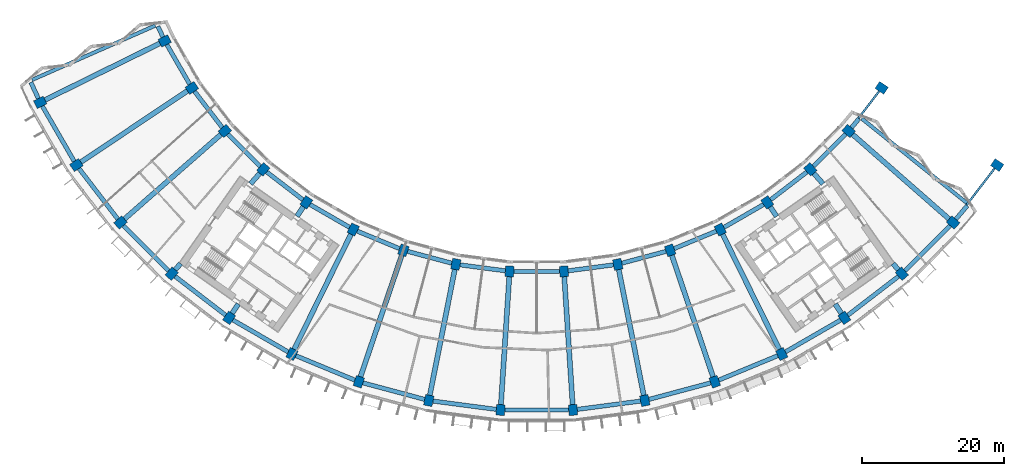
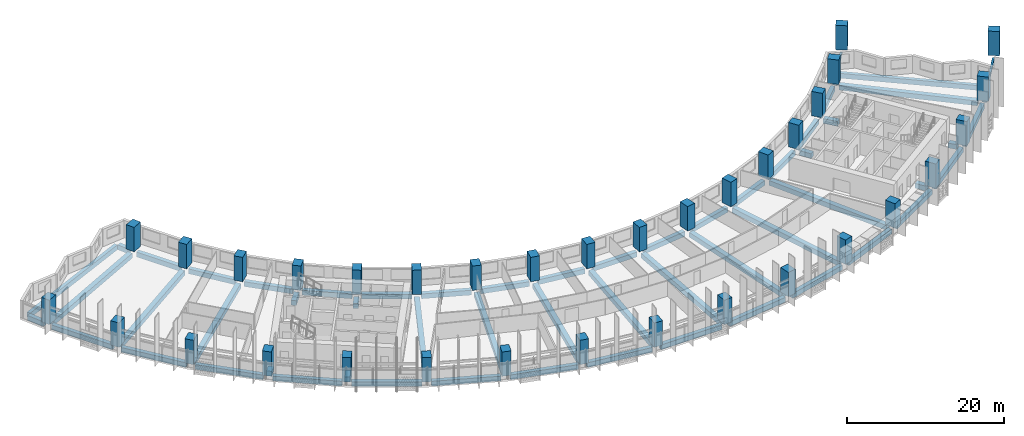
# One storey, part 1 of 29: 56 beams, 34 columns, 2 members.
"""IFC4 building model written with IfcOpenShell, lengths in metres."""

from ifc_helpers import new_model, si_unit, direction, frame, origin, origin_2d, place, context, subcontext, project, spatial, rectangle, hollow_rectangle, extrude, material, material_profile, profile_set, type_object, element, save


model = new_model("IFC4")

# Units and contexts
model_context = context("Model", 3, precision=1e-05, world=origin(), true_north=direction((0.0, 1.0)))
body_context = subcontext(model_context, "Body", "Model", "MODEL_VIEW")
ifc_project = project(units=[si_unit("LENGTHUNIT", "METRE"), si_unit("AREAUNIT", "SQUARE_METRE"), si_unit("VOLUMEUNIT", "CUBIC_METRE"), si_unit("PLANEANGLEUNIT", "RADIAN"), si_unit("MASSUNIT", "GRAM", prefix="KILO")], contexts=[model_context])

# Site, building, storey
site_placement = place(None, origin())
site = spatial("IfcSite", under=ifc_project, at=site_placement, CompositionType="ELEMENT")
building_placement = place(site_placement, origin())
building = spatial("IfcBuilding", under=site, at=building_placement, Name="Qamariyya Broadcast Tower", CompositionType="ELEMENT")
storey_placement = place(building_placement, frame((0.0, 0.0, 132.89990234375)))
storey = spatial("IfcBuildingStorey", under=building, at=storey_placement, Name="L30", CompositionType="ELEMENT", Elevation=132.89990234375)

# Columns
ifc_material_1 = material(Name="Concrete C70/85", Category="concrete")
ifc_material_profile_1 = material_profile(ifc_material_1, rectangle(XDim=1.199951171875, YDim=1.5, at=origin_2d()))
ifc_profile_set_1 = profile_set([ifc_material_profile_1], Name="Concrete C70/85")
column_type = type_object("IfcColumnType", Name="RC column 1200 x 1500 C70/85", PredefinedType="COLUMN", material=ifc_profile_set_1)
for number, where, z_axis, x_axis, name in (
    (1, (-52.242919921875, -25.763427734375, 0.0), (0.0, 0.0, 1.0), (0.442288690219, -0.896872741533, 0.0), "Column C7 L30 B-R02"),
    (2, (-69.73193359375, -34.387939453125, 0.0), (0.0, 0.0, 1.0), (0.442288690219, -0.896872741533, 0.0), "Column C7 L30 C-R02"),
    (3, (-48.43310546875, -32.362060546875, 0.0), (0.0, 0.0, 1.0), (0.55557023302, -0.831469612303, 0.0), "Column C7 L30 B-R03"),
    (4, (-64.646728515625, -43.195556640625, 0.0), (0.0, 0.0, 1.0), (0.55557023302, -0.831469612303, 0.0), "Column C7 L30 C-R03"),
    (5, (-43.794677734375, -38.406982421875, 0.0), (0.0, 0.0, 1.0), (0.6593458151, -0.751839807479, 0.0), "Column C7 L30 B-R04"),
    (6, (-58.45556640625, -51.26416015625, 0.0), (0.0, 0.0, 1.0), (0.6593458151, -0.751839807479, 0.0), "Column C7 L30 C-R04"),
    (7, (-38.406982421875, -43.794677734375, 0.0), (0.0, 0.0, 1.0), (0.751839807479, -0.6593458151, 0.0), "Column C7 L30 B-R05"),
    (8, (-51.26416015625, -58.45556640625, 0.0), (0.0, 0.0, 1.0), (0.751839807479, -0.6593458151, 0.0), "Column C7 L30 C-R05"),
    (9, (-32.362060546875, -48.43310546875, 0.0), (0.0, 0.0, 1.0), (0.831469612303, -0.55557023302, 0.0), "Column C7 L30 B-R06"),
    (10, (-43.195556640625, -64.646728515625, 0.0), (0.0, 0.0, 1.0), (0.831469612303, -0.55557023302, 0.0), "Column C7 L30 C-R06"),
    (11, (-25.763427734375, -52.242919921875, 0.0), (0.0, 0.0, 1.0), (0.896872741533, -0.442288690219, 0.0), "Column C7 L30 B-R07"),
    (12, (-34.387939453125, -69.73193359375, 0.0), (0.0, 0.0, 1.0), (0.896872741533, -0.442288690219, 0.0), "Column C7 L30 C-R07"),
    (13, (-18.723876953125, -55.15869140625, 0.0), (0.0, 0.0, 1.0), (0.946930129495, -0.321439465303, 0.0), "Column C7 L30 B-R08"),
    (14, (-24.991943359375, -73.623779296875, 0.0), (0.0, 0.0, 1.0), (0.946930129495, -0.321439465303, 0.0), "Column C7 L30 C-R08"),
    (15, (-11.364013671875, -57.130859375, 0.0), (0.0, 0.0, 1.0), (0.980785280403, -0.195090322016, 0.0), "Column C7 L30 B-R09"),
    (16, (-15.168212890625, -76.256103515625, 0.0), (0.0, 0.0, 1.0), (0.980785280403, -0.195090322016, 0.0), "Column C7 L30 C-R09"),
    (17, (-3.809814453125, -58.125244140625, 0.0), (0.0, 0.0, 1.0), (0.997858923239, -0.06540312923, 0.0), "Column C7 L30 B-R10"),
    (18, (-5.085205078125, -77.58349609375, 0.0), (0.0, 0.0, 1.0), (0.997858923239, -0.06540312923, 0.0), "Column C7 L30 C-R10"),
    (19, (3.809814453125, -58.125244140625, 0.0), (0.0, 0.0, 1.0), (0.997858923239, 0.06540312923, 0.0), "Column C7 L30 B-R11"),
    (20, (5.085205078125, -77.58349609375, 0.0), (0.0, 0.0, 1.0), (0.997858923239, 0.06540312923, 0.0), "Column C7 L30 C-R11"),
    (21, (11.364013671875, -57.130859375, 0.0), (0.0, 0.0, 1.0), (0.980785280403, 0.195090322016, 0.0), "Column C7 L30 B-R12"),
    (22, (15.168212890625, -76.256103515625, 0.0), (0.0, 0.0, 1.0), (0.980785280403, 0.195090322016, 0.0), "Column C7 L30 C-R12"),
    (23, (18.723876953125, -55.15869140625, 0.0), (0.0, 0.0, 1.0), (0.946930129495, 0.321439465303, 0.0), "Column C7 L30 B-R13"),
    (24, (24.991943359375, -73.623779296875, 0.0), (0.0, 0.0, 1.0), (0.946930129495, 0.321439465303, 0.0), "Column C7 L30 C-R13"),
    (25, (25.763427734375, -52.242919921875, 0.0), (0.0, 0.0, 1.0), (0.896872741533, 0.442288690219, 0.0), "Column C7 L30 B-R14"),
    (26, (34.387939453125, -69.73193359375, 0.0), (0.0, 0.0, 1.0), (0.896872741533, 0.442288690219, 0.0), "Column C7 L30 C-R14"),
    (27, (32.362060546875, -48.43310546875, 0.0), (0.0, 0.0, 1.0), (0.831469612303, 0.55557023302, 0.0), "Column C7 L30 B-R15"),
    (28, (43.195556640625, -64.646728515625, 0.0), (0.0, 0.0, 1.0), (0.831469612303, 0.55557023302, 0.0), "Column C7 L30 C-R15"),
    (29, (38.406982421875, -43.794677734375, 0.0), (0.0, 0.0, 1.0), (0.751839807479, 0.6593458151, 0.0), "Column C7 L30 B-R16"),
    (30, (51.26416015625, -58.45556640625, 0.0), (0.0, 0.0, 1.0), (0.751839807479, 0.6593458151, 0.0), "Column C7 L30 C-R16"),
    (31, (43.794677734375, -38.406982421875, 0.0), (0.0, 0.0, 1.0), (0.6593458151, 0.751839807479, 0.0), "Column C7 L30 B-R17"),
    (32, (58.45556640625, -51.26416015625, 0.0), (0.0, 0.0, 1.0), (0.6593458151, 0.751839807479, 0.0), "Column C7 L30 C-R17"),
    (33, (48.43310546875, -32.362060546875, 0.0), (0.0, 0.0, 1.0), (0.55557023302, 0.831469612303, 0.0), "Column C7 L30 B-R18"),
    (34, (64.646728515625, -43.195556640625, 0.0), (0.0, 0.0, 1.0), (0.55557023302, 0.831469612303, 0.0), "Column C7 L30 C-R18"),
):
    element("IfcColumn", number, at=place(storey_placement, frame(where, z_axis=z_axis, x_axis=x_axis)), inside=storey, type_object=column_type, Name=name, PredefinedType="COLUMN", context=body_context, shape_type="SweptSolid", body=[
        extrude(rectangle(XDim=1.199951171875, YDim=1.5, at=origin_2d()), origin(), (0.0, 0.0, 1.0), 3.800048828125),
    ])

# Members
ifc_material_2 = material(Name="Steel S355", Category="steel")
ifc_material_profile_2 = material_profile(ifc_material_2, hollow_rectangle(XDim=0.300048828125, YDim=0.300048828125, WallThickness=0.012451171875, InnerFilletRadius=0.012451171875, OuterFilletRadius=0.02490234375, at=origin_2d()))
ifc_profile_set_2 = profile_set([ifc_material_profile_2], Name="Steel S355")
member_type = type_object("IfcMemberType", Name="Pylon tie RHS 300x300x12.5", PredefinedType="STRUT", material=ifc_profile_set_2)
member_1_placement = place(storey_placement, frame((44.16064453125, -37.929931640625, -0.449951171875), z_axis=(0.608778135192, 0.793340520906, 0.0), x_axis=(-0.793340520906, 0.608778135192, 0.0)))
element("IfcMember", 35, at=member_1_placement, inside=storey, type_object=member_type, Name="Pylon tie T1 L30 B-R18", PredefinedType="STRUT", context=body_context, shape_type="SweptSolid", body=[
    extrude(hollow_rectangle(XDim=0.300048828125, YDim=0.300048828125, WallThickness=0.012451171875, InnerFilletRadius=0.012451171875, OuterFilletRadius=0.02490234375, at=origin_2d()), origin(), (0.0, 0.0, 1.0), 6.4169921875),
])
member_2_placement = place(storey_placement, frame((58.821533203125, -50.787109375, -0.449951171875), z_axis=(0.608766985019, 0.793349076984, 0.0), x_axis=(-0.793349076984, 0.608766985019, 0.0)))
element("IfcMember", 36, at=member_2_placement, inside=storey, type_object=member_type, Name="Pylon tie T1 L30 C-R18", PredefinedType="STRUT", context=body_context, shape_type="SweptSolid", body=[
    extrude(hollow_rectangle(XDim=0.300048828125, YDim=0.300048828125, WallThickness=0.012451171875, InnerFilletRadius=0.012451171875, OuterFilletRadius=0.02490234375, at=origin_2d()), origin(), (0.0, 0.0, 1.0), 8.9677734375),
])

# Beams
ifc_material_3 = material(Name="Concrete C50/60", Category="concrete")
ifc_material_profile_3 = material_profile(ifc_material_3, rectangle(XDim=0.60009765625, YDim=0.75, at=origin_2d()))
ifc_profile_set_3 = profile_set([ifc_material_profile_3], Name="Concrete C50/60")
beam_type_1 = type_object("IfcBeamType", Name="RC edge beam 600 x 750 C50/60", PredefinedType="SPANDREL", material=ifc_profile_set_3)
for number, where, z_axis, x_axis, name in (
    (37, (-51.942138671875, -26.283935546875, -0.6748046875), (0.49999360328, -0.866029096901, 0.0), (0.866029096901, 0.49999360328, 0.0), "Edge beam B15 L30 B R02-R03"),
    (38, (-48.067138671875, -32.839111328125, -0.6748046875), (0.608778135192, -0.793340520906, 0.0), (0.793340520906, 0.608778135192, 0.0), "Edge beam B15 L30 B R03-R04"),
):
    element("IfcBeam", number, at=place(storey_placement, frame(where, z_axis=z_axis, x_axis=x_axis)), inside=storey, type_object=beam_type_1, Name=name, PredefinedType="SPANDREL", context=body_context, shape_type="SweptSolid", body=[
        extrude(rectangle(XDim=0.60009765625, YDim=0.75, at=origin_2d()), origin(), (0.0, 0.0, 1.0), 6.4169921875),
    ])
beam_1_placement = place(storey_placement, frame((-43.369384765625, -38.83203125, -0.6748046875), z_axis=(0.707106781187, -0.707106781187, 0.0), x_axis=(0.707106781187, 0.707106781187, 0.0)))
element("IfcBeam", 39, at=beam_1_placement, inside=storey, type_object=beam_type_1, Name="Edge beam B15 L30 B R04-R05", PredefinedType="SPANDREL", context=body_context, shape_type="SweptSolid", body=[
    extrude(rectangle(XDim=0.60009765625, YDim=0.75, at=origin_2d()), origin(), (0.0, 0.0, 1.0), 6.416748046875),
])
for number, where, z_axis, x_axis, name in (
    (40, (-37.929931640625, -44.16064453125, -0.6748046875), (0.793340520906, -0.608778135192, 0.0), (0.608778135192, 0.793340520906, 0.0), "Edge beam B15 L30 B R05-R06"),
    (41, (-31.84130859375, -48.733642578125, -0.6748046875), (0.866029096901, -0.49999360328, 0.0), (0.49999360328, 0.866029096901, 0.0), "Edge beam B15 L30 B R06-R07"),
    (42, (-25.207763671875, -52.472900390625, -0.6748046875), (0.923884212686, -0.382672133229, 0.0), (0.382672133229, 0.923884212686, 0.0), "Edge beam B15 L30 B R07-R08"),
    (43, (-18.14306640625, -55.314208984375, -0.6748046875), (0.965922916603, -0.258829903956, 0.0), (0.258829903956, 0.965922916603, 0.0), "Edge beam B15 L30 B R08-R09"),
    (44, (-10.767822265625, -57.209228515625, -0.6748046875), (0.991443543958, -0.1305361986, 0.0), (0.1305361986, 0.991443543958, 0.0), "Edge beam B15 L30 B R09-R10"),
    (45, (-3.20849609375, -58.125244140625, -0.6748046875), (1.0, 0.0, 0.0), (0.0, 1.0, 0.0), "Edge beam B15 L30 B R10-R11"),
    (46, (4.40576171875, -58.046875, -0.6748046875), (0.991443543958, 0.1305361986, 0.0), (-0.1305361986, 0.991443543958, 0.0), "Edge beam B15 L30 B R11-R12"),
    (47, (11.94482421875, -56.97509765625, -0.6748046875), (0.965922916603, 0.258829903956, 0.0), (-0.258829903956, 0.965922916603, 0.0), "Edge beam B15 L30 B R12-R13"),
    (48, (19.279296875, -54.928466796875, -0.6748046875), (0.923884212686, 0.382672133229, 0.0), (-0.382672133229, 0.923884212686, 0.0), "Edge beam B15 L30 B R13-R14"),
    (49, (26.283935546875, -51.942138671875, -0.6748046875), (0.866029096901, 0.49999360328, 0.0), (-0.49999360328, 0.866029096901, 0.0), "Edge beam B15 L30 B R14-R15"),
    (50, (32.839111328125, -48.067138671875, -0.6748046875), (0.793340520906, 0.608778135192, 0.0), (-0.608778135192, 0.793340520906, 0.0), "Edge beam B15 L30 B R15-R16"),
):
    element("IfcBeam", number, at=place(storey_placement, frame(where, z_axis=z_axis, x_axis=x_axis)), inside=storey, type_object=beam_type_1, Name=name, PredefinedType="SPANDREL", context=body_context, shape_type="SweptSolid", body=[
        extrude(rectangle(XDim=0.60009765625, YDim=0.75, at=origin_2d()), origin(), (0.0, 0.0, 1.0), 6.4169921875),
    ])
beam_2_placement = place(storey_placement, frame((38.83203125, -43.369384765625, -0.6748046875), z_axis=(0.707106781187, 0.707106781187, 0.0), x_axis=(-0.707106781187, 0.707106781187, 0.0)))
element("IfcBeam", 51, at=beam_2_placement, inside=storey, type_object=beam_type_1, Name="Edge beam B15 L30 B R16-R17", PredefinedType="SPANDREL", context=body_context, shape_type="SweptSolid", body=[
    extrude(rectangle(XDim=0.60009765625, YDim=0.75, at=origin_2d()), origin(), (0.0, 0.0, 1.0), 6.416748046875),
])
beam_3_placement = place(storey_placement, frame((-69.43115234375, -34.90869140625, -0.6748046875), z_axis=(0.499989544228, -0.866031440343, 0.0), x_axis=(0.866031440343, 0.499989544228, 0.0)))
element("IfcBeam", 52, at=beam_3_placement, inside=storey, type_object=beam_type_1, Name="Edge beam B15 L30 C R02-R03", PredefinedType="SPANDREL", context=body_context, shape_type="SweptSolid", body=[
    extrude(rectangle(XDim=0.60009765625, YDim=0.75, at=origin_2d()), origin(), (0.0, 0.0, 1.0), 8.967529296875),
])
beam_4_placement = place(storey_placement, frame((-64.28076171875, -43.672607421875, -0.6748046875), z_axis=(0.608766985019, -0.793349076984, 0.0), x_axis=(0.793349076984, 0.608766985019, 0.0)))
element("IfcBeam", 53, at=beam_4_placement, inside=storey, type_object=beam_type_1, Name="Edge beam B15 L30 C R03-R04", PredefinedType="SPANDREL", context=body_context, shape_type="SweptSolid", body=[
    extrude(rectangle(XDim=0.60009765625, YDim=0.75, at=origin_2d()), origin(), (0.0, 0.0, 1.0), 8.9677734375),
])
beam_5_placement = place(storey_placement, frame((-58.0302734375, -51.689208984375, -0.6748046875), z_axis=(0.707106781187, -0.707106781187, 0.0), x_axis=(0.707106781187, 0.707106781187, 0.0)))
element("IfcBeam", 54, at=beam_5_placement, inside=storey, type_object=beam_type_1, Name="Edge beam B15 L30 C R04-R05", PredefinedType="SPANDREL", context=body_context, shape_type="SweptSolid", body=[
    extrude(rectangle(XDim=0.60009765625, YDim=0.75, at=origin_2d()), origin(), (0.0, 0.0, 1.0), 8.967529296875),
])
beam_6_placement = place(storey_placement, frame((-50.787109375, -58.821533203125, -0.6748046875), z_axis=(0.793349076984, -0.608766985019, 0.0), x_axis=(0.608766985019, 0.793349076984, 0.0)))
element("IfcBeam", 55, at=beam_6_placement, inside=storey, type_object=beam_type_1, Name="Edge beam B15 L30 C R05-R06", PredefinedType="SPANDREL", context=body_context, shape_type="SweptSolid", body=[
    extrude(rectangle(XDim=0.60009765625, YDim=0.75, at=origin_2d()), origin(), (0.0, 0.0, 1.0), 8.9677734375),
])
beam_7_placement = place(storey_placement, frame((-42.6748046875, -64.947509765625, -0.6748046875), z_axis=(0.866031440343, -0.499989544228, 0.0), x_axis=(0.499989544228, 0.866031440343, 0.0)))
element("IfcBeam", 56, at=beam_7_placement, inside=storey, type_object=beam_type_1, Name="Edge beam B15 L30 C R06-R07", PredefinedType="SPANDREL", context=body_context, shape_type="SweptSolid", body=[
    extrude(rectangle(XDim=0.60009765625, YDim=0.75, at=origin_2d()), origin(), (0.0, 0.0, 1.0), 8.967529296875),
])
beam_8_placement = place(storey_placement, frame((-33.83251953125, -69.9619140625, -0.6748046875), z_axis=(0.923877140182, -0.382689207907, 0.0), x_axis=(0.382689207907, 0.923877140182, 0.0)))
element("IfcBeam", 57, at=beam_8_placement, inside=storey, type_object=beam_type_1, Name="Edge beam B15 L30 C R07-R08", PredefinedType="SPANDREL", context=body_context, shape_type="SweptSolid", body=[
    extrude(rectangle(XDim=0.60009765625, YDim=0.75, at=origin_2d()), origin(), (0.0, 0.0, 1.0), 8.9677734375),
])
for number, where, z_axis, x_axis, name in (
    (58, (-24.4111328125, -73.779541015625, -0.6748046875), (0.965931525183, -0.258797775603, 0.0), (0.258797775603, 0.965931525183, 0.0), "Edge beam B15 L30 C R08-R09"),
    (59, (-14.572021484375, -76.33447265625, -0.6748046875), (0.991442708618, -0.130542542983, 0.0), (0.130542542983, 0.991442708618, 0.0), "Edge beam B15 L30 C R09-R10"),
):
    element("IfcBeam", number, at=place(storey_placement, frame(where, z_axis=z_axis, x_axis=x_axis)), inside=storey, type_object=beam_type_1, Name=name, PredefinedType="SPANDREL", context=body_context, shape_type="SweptSolid", body=[
        extrude(rectangle(XDim=0.60009765625, YDim=0.75, at=origin_2d()), origin(), (0.0, 0.0, 1.0), 8.967529296875),
    ])
beam_9_placement = place(storey_placement, frame((-4.48388671875, -77.58349609375, -0.6748046875), z_axis=(1.0, 0.0, 0.0), x_axis=(0.0, 1.0, 0.0)))
element("IfcBeam", 60, at=beam_9_placement, inside=storey, type_object=beam_type_1, Name="Edge beam B15 L30 C R10-R11", PredefinedType="SPANDREL", context=body_context, shape_type="SweptSolid", body=[
    extrude(rectangle(XDim=0.60009765625, YDim=0.75, at=origin_2d()), origin(), (0.0, 0.0, 1.0), 8.9677734375),
])
for number, where, z_axis, x_axis, name in (
    (61, (5.68115234375, -77.505126953125, -0.6748046875), (0.991442708618, 0.130542542983, 0.0), (-0.130542542983, 0.991442708618, 0.0), "Edge beam B15 L30 C R11-R12"),
    (62, (15.7490234375, -76.100341796875, -0.6748046875), (0.965931525183, 0.258797775603, 0.0), (-0.258797775603, 0.965931525183, 0.0), "Edge beam B15 L30 C R12-R13"),
):
    element("IfcBeam", number, at=place(storey_placement, frame(where, z_axis=z_axis, x_axis=x_axis)), inside=storey, type_object=beam_type_1, Name=name, PredefinedType="SPANDREL", context=body_context, shape_type="SweptSolid", body=[
        extrude(rectangle(XDim=0.60009765625, YDim=0.75, at=origin_2d()), origin(), (0.0, 0.0, 1.0), 8.967529296875),
    ])
beam_10_placement = place(storey_placement, frame((25.54736328125, -73.393798828125, -0.6748046875), z_axis=(0.923877140182, 0.382689207907, 0.0), x_axis=(-0.382689207907, 0.923877140182, 0.0)))
element("IfcBeam", 63, at=beam_10_placement, inside=storey, type_object=beam_type_1, Name="Edge beam B15 L30 C R13-R14", PredefinedType="SPANDREL", context=body_context, shape_type="SweptSolid", body=[
    extrude(rectangle(XDim=0.60009765625, YDim=0.75, at=origin_2d()), origin(), (0.0, 0.0, 1.0), 8.9677734375),
])
beam_11_placement = place(storey_placement, frame((34.90869140625, -69.43115234375, -0.6748046875), z_axis=(0.866031440343, 0.499989544228, 0.0), x_axis=(-0.499989544228, 0.866031440343, 0.0)))
element("IfcBeam", 64, at=beam_11_placement, inside=storey, type_object=beam_type_1, Name="Edge beam B15 L30 C R14-R15", PredefinedType="SPANDREL", context=body_context, shape_type="SweptSolid", body=[
    extrude(rectangle(XDim=0.60009765625, YDim=0.75, at=origin_2d()), origin(), (0.0, 0.0, 1.0), 8.967529296875),
])
beam_12_placement = place(storey_placement, frame((43.672607421875, -64.28076171875, -0.6748046875), z_axis=(0.793349076984, 0.608766985019, 0.0), x_axis=(-0.608766985019, 0.793349076984, 0.0)))
element("IfcBeam", 65, at=beam_12_placement, inside=storey, type_object=beam_type_1, Name="Edge beam B15 L30 C R15-R16", PredefinedType="SPANDREL", context=body_context, shape_type="SweptSolid", body=[
    extrude(rectangle(XDim=0.60009765625, YDim=0.75, at=origin_2d()), origin(), (0.0, 0.0, 1.0), 8.9677734375),
])
beam_13_placement = place(storey_placement, frame((51.689208984375, -58.0302734375, -0.6748046875), z_axis=(0.707106781187, 0.707106781187, 0.0), x_axis=(-0.707106781187, 0.707106781187, 0.0)))
element("IfcBeam", 66, at=beam_13_placement, inside=storey, type_object=beam_type_1, Name="Edge beam B15 L30 C R16-R17", PredefinedType="SPANDREL", context=body_context, shape_type="SweptSolid", body=[
    extrude(rectangle(XDim=0.60009765625, YDim=0.75, at=origin_2d()), origin(), (0.0, 0.0, 1.0), 8.967529296875),
])
ifc_material_profile_4 = material_profile(ifc_material_3, rectangle(XDim=0.60009765625, YDim=0.75, at=origin_2d()))
ifc_profile_set_4 = profile_set([ifc_material_profile_4], Name="Concrete C50/60")
beam_type_2 = type_object("IfcBeamType", Name="RC horn beam 600 x 750 C50/60", PredefinedType="BEAM", material=ifc_profile_set_4)
beam_14_placement = place(storey_placement, frame((-52.49658203125, -25.219482421875, -0.6748046875), z_axis=(-0.422909699643, 0.906171830255, 0.0), x_axis=(-0.906171830255, -0.422909699643, 0.0)))
element("IfcBeam", 67, at=beam_14_placement, inside=storey, type_object=beam_type_2, Name="Horn beam B14 L30 W B-R02", PredefinedType="BEAM", context=body_context, shape_type="SweptSolid", body=[
    extrude(rectangle(XDim=0.60009765625, YDim=0.75, at=origin_2d()), origin(), (0.0, 0.0, 1.0), 1.654541015625),
])
beam_15_placement = place(storey_placement, frame((-69.985595703125, -33.843994140625, -0.6748046875), z_axis=(-0.422960519871, 0.906148110758, 0.0), x_axis=(-0.906148110758, -0.422960519871, 0.0)))
element("IfcBeam", 68, at=beam_15_placement, inside=storey, type_object=beam_type_2, Name="Horn beam B14 L30 W C-R02", PredefinedType="BEAM", context=body_context, shape_type="SweptSolid", body=[
    extrude(rectangle(XDim=0.60009765625, YDim=0.75, at=origin_2d()), origin(), (0.0, 0.0, 1.0), 2.492919921875),
])
beam_16_placement = place(storey_placement, frame((44.1806640625, -37.947265625, -0.6748046875), z_axis=(0.643053654659, 0.765821126132, 0.0), x_axis=(-0.765821126132, 0.643053654659, 0.0)))
element("IfcBeam", 69, at=beam_16_placement, inside=storey, type_object=beam_type_2, Name="Horn beam B14 L30 E B-R17", PredefinedType="BEAM", context=body_context, shape_type="SweptSolid", body=[
    extrude(rectangle(XDim=0.60009765625, YDim=0.75, at=origin_2d()), origin(), (0.0, 0.0, 1.0), 1.654541015625),
])
beam_17_placement = place(storey_placement, frame((58.841552734375, -50.804443359375, -0.6748046875), z_axis=(0.643031299629, 0.765839896909, 0.0), x_axis=(-0.765839896909, 0.643031299629, 0.0)))
element("IfcBeam", 70, at=beam_17_placement, inside=storey, type_object=beam_type_2, Name="Horn beam B14 L30 E C-R17", PredefinedType="BEAM", context=body_context, shape_type="SweptSolid", body=[
    extrude(rectangle(XDim=0.60009765625, YDim=0.75, at=origin_2d()), origin(), (0.0, 0.0, 1.0), 2.492919921875),
])
ifc_material_profile_5 = material_profile(ifc_material_3, rectangle(XDim=0.5, YDim=0.75, at=origin_2d()))
ifc_profile_set_5 = profile_set([ifc_material_profile_5], Name="Concrete C50/60")
beam_type_3 = type_object("IfcBeamType", Name="RC horn cap beam 500 x 750 C50/60", PredefinedType="BEAM", material=ifc_profile_set_5)
beam_18_placement = place(storey_placement, frame((-53.57666015625, -23.614501953125, -0.6748046875), z_axis=(-0.91505637087, -0.403325970068, 0.0), x_axis=(0.403325970068, -0.91505637087, 0.0)))
element("IfcBeam", 71, at=beam_18_placement, inside=storey, type_object=beam_type_3, Name="Horn cap beam B17 L30 W B-C", PredefinedType="BEAM", context=body_context, shape_type="SweptSolid", body=[
    extrude(rectangle(XDim=0.5, YDim=0.75, at=origin_2d()), origin(), (0.0, 0.0, 1.0), 18.89990234375),
])
beam_19_placement = place(storey_placement, frame((45.63916015625, -36.676513671875, -0.6748046875), z_axis=(0.779488210445, -0.626416897742, 0.0), x_axis=(0.626416897742, 0.779488210445, 0.0)))
element("IfcBeam", 72, at=beam_19_placement, inside=storey, type_object=beam_type_3, Name="Horn cap beam B17 L30 E B-C", PredefinedType="BEAM", context=body_context, shape_type="SweptSolid", body=[
    extrude(rectangle(XDim=0.5, YDim=0.75, at=origin_2d()), origin(), (0.0, 0.0, 1.0), 18.900146484375),
])
ifc_material_profile_6 = material_profile(ifc_material_3, rectangle(XDim=0.699951171875, YDim=0.75, at=origin_2d()))
ifc_profile_set_6 = profile_set([ifc_material_profile_6], Name="Concrete C50/60")
beam_type_4 = type_object("IfcBeamType", Name="RC radial beam 700 x 750 C50/60", PredefinedType="BEAM", material=ifc_profile_set_6)
beam_20_placement = place(storey_placement, frame((-52.91552734375, -26.094970703125, -0.6748046875), z_axis=(-0.896871386501, -0.442291437941, 0.0), x_axis=(0.442291437941, -0.896871386501, 0.0)))
element("IfcBeam", 73, at=beam_20_placement, inside=storey, type_object=beam_type_4, Name="Radial beam B13 L30 R02 B-C", PredefinedType="BEAM", context=body_context, shape_type="SweptSolid", body=[
    extrude(rectangle(XDim=0.699951171875, YDim=0.75, at=origin_2d()), origin(), (0.0, 0.0, 1.0), 17.999755859375),
])
beam_21_placement = place(storey_placement, frame((-49.056640625, -32.778564453125, -0.6748046875), z_axis=(-0.831471836778, -0.555566903843, 0.0), x_axis=(0.555566903843, -0.831471836778, 0.0)))
element("IfcBeam", 74, at=beam_21_placement, inside=storey, type_object=beam_type_4, Name="Radial beam B13 L30 R03 B-C", PredefinedType="BEAM", context=body_context, shape_type="SweptSolid", body=[
    extrude(rectangle(XDim=0.699951171875, YDim=0.75, at=origin_2d()), origin(), (0.0, 0.0, 1.0), 18.0),
])
beam_22_placement = place(storey_placement, frame((-44.358642578125, -38.9013671875, -0.6748046875), z_axis=(-0.751837671483, -0.659348250729, 0.0), x_axis=(0.659348250729, -0.751837671483, 0.0)))
element("IfcBeam", 75, at=beam_22_placement, inside=storey, type_object=beam_type_4, Name="Radial beam B13 L30 R04 B-C", PredefinedType="BEAM", context=body_context, shape_type="SweptSolid", body=[
    extrude(rectangle(XDim=0.699951171875, YDim=0.75, at=origin_2d()), origin(), (0.0, 0.0, 1.0), 17.999755859375),
])
beam_23_placement = place(storey_placement, frame((-38.9013671875, -44.358642578125, -0.6748046875), z_axis=(-0.659376140982, -0.751813211312, 0.0), x_axis=(0.751813211312, -0.659376140982, 0.0)))
element("IfcBeam", 76, at=beam_23_placement, inside=storey, type_object=beam_type_4, Name="Radial beam B13 L30 R05 B-C", PredefinedType="BEAM", context=body_context, shape_type="SweptSolid", body=[
    extrude(rectangle(XDim=0.699951171875, YDim=0.75, at=origin_2d()), origin(), (0.0, 0.0, 1.0), 1.96240234375),
])
beam_24_placement = place(storey_placement, frame((-50.011962890625, -57.027587890625, -0.6748046875), z_axis=(-0.659271387296, -0.751905072395, 0.0), x_axis=(0.751905072395, -0.659271387296, 0.0)))
element("IfcBeam", 77, at=beam_24_placement, inside=storey, type_object=beam_type_4, Name="Radial beam B13 L30 R05 B-C", PredefinedType="BEAM", context=body_context, shape_type="SweptSolid", body=[
    extrude(rectangle(XDim=0.699951171875, YDim=0.75, at=origin_2d()), origin(), (0.0, 0.0, 1.0), 1.149169921875),
])
beam_25_placement = place(storey_placement, frame((-32.778564453125, -49.056640625, -0.6748046875), z_axis=(-0.555537373717, -0.831491567248, 0.0), x_axis=(0.831491567248, -0.555537373717, 0.0)))
element("IfcBeam", 78, at=beam_25_placement, inside=storey, type_object=beam_type_4, Name="Radial beam B13 L30 R06 B-C", PredefinedType="BEAM", context=body_context, shape_type="SweptSolid", body=[
    extrude(rectangle(XDim=0.699951171875, YDim=0.75, at=origin_2d()), origin(), (0.0, 0.0, 1.0), 1.614501953125),
])
beam_26_placement = place(storey_placement, frame((-41.89990234375, -62.707763671875, -0.6748046875), z_axis=(-0.555554602959, -0.831480055762, 0.0), x_axis=(0.831480055762, -0.555554602959, 0.0)))
element("IfcBeam", 79, at=beam_26_placement, inside=storey, type_object=beam_type_4, Name="Radial beam B13 L30 R06 B-C", PredefinedType="BEAM", context=body_context, shape_type="SweptSolid", body=[
    extrude(rectangle(XDim=0.699951171875, YDim=0.75, at=origin_2d()), origin(), (0.0, 0.0, 1.0), 1.58203125),
])
beam_27_placement = place(storey_placement, frame((-26.094970703125, -52.91552734375, -0.6748046875), z_axis=(-0.442291437941, -0.896871386501, 0.0), x_axis=(0.896871386501, -0.442291437941, 0.0)))
element("IfcBeam", 80, at=beam_27_placement, inside=storey, type_object=beam_type_4, Name="Radial beam B13 L30 R07 B-C", PredefinedType="BEAM", context=body_context, shape_type="SweptSolid", body=[
    extrude(rectangle(XDim=0.699951171875, YDim=0.75, at=origin_2d()), origin(), (0.0, 0.0, 1.0), 17.999755859375),
])
beam_28_placement = place(storey_placement, frame((-18.96484375, -55.868896484375, -0.6748046875), z_axis=(-0.321439476461, -0.946930125707, 0.0), x_axis=(0.946930125707, -0.321439476461, 0.0)))
element("IfcBeam", 81, at=beam_28_placement, inside=storey, type_object=beam_type_4, Name="Radial beam B13 L30 R08 B-C", PredefinedType="BEAM", context=body_context, shape_type="SweptSolid", body=[
    extrude(rectangle(XDim=0.699951171875, YDim=0.75, at=origin_2d()), origin(), (0.0, 0.0, 1.0), 18.0),
])
beam_29_placement = place(storey_placement, frame((-11.51025390625, -57.8662109375, -0.6748046875), z_axis=(-0.195093569287, -0.980784634475, 0.0), x_axis=(0.980784634475, -0.195093569287, 0.0)))
element("IfcBeam", 82, at=beam_29_placement, inside=storey, type_object=beam_type_4, Name="Radial beam B13 L30 R09 B-C", PredefinedType="BEAM", context=body_context, shape_type="SweptSolid", body=[
    extrude(rectangle(XDim=0.699951171875, YDim=0.75, at=origin_2d()), origin(), (0.0, 0.0, 1.0), 18.000244140625),
])
for number, where, z_axis, x_axis, name in (
    (83, (-3.85888671875, -58.873779296875, -0.6748046875), (-0.065402689504, -0.99785895206, 0.0), (0.99785895206, -0.065402689504, 0.0), "Radial beam B13 L30 R10 B-C"),
    (84, (3.85888671875, -58.873779296875, -0.6748046875), (0.065402689504, -0.99785895206, 0.0), (0.99785895206, 0.065402689504, 0.0), "Radial beam B13 L30 R11 B-C"),
):
    element("IfcBeam", number, at=place(storey_placement, frame(where, z_axis=z_axis, x_axis=x_axis)), inside=storey, type_object=beam_type_4, Name=name, PredefinedType="BEAM", context=body_context, shape_type="SweptSolid", body=[
        extrude(rectangle(XDim=0.699951171875, YDim=0.75, at=origin_2d()), origin(), (0.0, 0.0, 1.0), 18.0),
    ])
beam_30_placement = place(storey_placement, frame((11.51025390625, -57.8662109375, -0.6748046875), z_axis=(0.195093569287, -0.980784634475, 0.0), x_axis=(0.980784634475, 0.195093569287, 0.0)))
element("IfcBeam", 85, at=beam_30_placement, inside=storey, type_object=beam_type_4, Name="Radial beam B13 L30 R12 B-C", PredefinedType="BEAM", context=body_context, shape_type="SweptSolid", body=[
    extrude(rectangle(XDim=0.699951171875, YDim=0.75, at=origin_2d()), origin(), (0.0, 0.0, 1.0), 18.000244140625),
])
beam_31_placement = place(storey_placement, frame((18.96484375, -55.868896484375, -0.6748046875), z_axis=(0.321439476461, -0.946930125707, 0.0), x_axis=(0.946930125707, 0.321439476461, 0.0)))
element("IfcBeam", 86, at=beam_31_placement, inside=storey, type_object=beam_type_4, Name="Radial beam B13 L30 R13 B-C", PredefinedType="BEAM", context=body_context, shape_type="SweptSolid", body=[
    extrude(rectangle(XDim=0.699951171875, YDim=0.75, at=origin_2d()), origin(), (0.0, 0.0, 1.0), 18.0),
])
beam_32_placement = place(storey_placement, frame((26.094970703125, -52.91552734375, -0.6748046875), z_axis=(0.442291437941, -0.896871386501, 0.0), x_axis=(0.896871386501, 0.442291437941, 0.0)))
element("IfcBeam", 87, at=beam_32_placement, inside=storey, type_object=beam_type_4, Name="Radial beam B13 L30 R14 B-C", PredefinedType="BEAM", context=body_context, shape_type="SweptSolid", body=[
    extrude(rectangle(XDim=0.699951171875, YDim=0.75, at=origin_2d()), origin(), (0.0, 0.0, 1.0), 17.999755859375),
])
beam_33_placement = place(storey_placement, frame((32.778564453125, -49.056640625, -0.6748046875), z_axis=(0.555537373717, -0.831491567248, 0.0), x_axis=(0.831491567248, 0.555537373717, 0.0)))
element("IfcBeam", 88, at=beam_33_placement, inside=storey, type_object=beam_type_4, Name="Radial beam B13 L30 R15 B-C", PredefinedType="BEAM", context=body_context, shape_type="SweptSolid", body=[
    extrude(rectangle(XDim=0.699951171875, YDim=0.75, at=origin_2d()), origin(), (0.0, 0.0, 1.0), 1.614501953125),
])
beam_34_placement = place(storey_placement, frame((41.89990234375, -62.707763671875, -0.6748046875), z_axis=(0.555554602959, -0.831480055762, 0.0), x_axis=(0.831480055762, 0.555554602959, 0.0)))
element("IfcBeam", 89, at=beam_34_placement, inside=storey, type_object=beam_type_4, Name="Radial beam B13 L30 R15 B-C", PredefinedType="BEAM", context=body_context, shape_type="SweptSolid", body=[
    extrude(rectangle(XDim=0.699951171875, YDim=0.75, at=origin_2d()), origin(), (0.0, 0.0, 1.0), 1.58203125),
])
beam_35_placement = place(storey_placement, frame((38.9013671875, -44.358642578125, -0.6748046875), z_axis=(0.659376140982, -0.751813211312, 0.0), x_axis=(0.751813211312, 0.659376140982, 0.0)))
element("IfcBeam", 90, at=beam_35_placement, inside=storey, type_object=beam_type_4, Name="Radial beam B13 L30 R16 B-C", PredefinedType="BEAM", context=body_context, shape_type="SweptSolid", body=[
    extrude(rectangle(XDim=0.699951171875, YDim=0.75, at=origin_2d()), origin(), (0.0, 0.0, 1.0), 1.96240234375),
])
beam_36_placement = place(storey_placement, frame((50.011962890625, -57.027587890625, -0.6748046875), z_axis=(0.659271387296, -0.751905072395, 0.0), x_axis=(0.751905072395, 0.659271387296, 0.0)))
element("IfcBeam", 91, at=beam_36_placement, inside=storey, type_object=beam_type_4, Name="Radial beam B13 L30 R16 B-C", PredefinedType="BEAM", context=body_context, shape_type="SweptSolid", body=[
    extrude(rectangle(XDim=0.699951171875, YDim=0.75, at=origin_2d()), origin(), (0.0, 0.0, 1.0), 1.149169921875),
])
beam_37_placement = place(storey_placement, frame((44.358642578125, -38.9013671875, -0.6748046875), z_axis=(0.751837671483, -0.659348250729, 0.0), x_axis=(0.659348250729, 0.751837671483, 0.0)))
element("IfcBeam", 92, at=beam_37_placement, inside=storey, type_object=beam_type_4, Name="Radial beam B13 L30 R17 B-C", PredefinedType="BEAM", context=body_context, shape_type="SweptSolid", body=[
    extrude(rectangle(XDim=0.699951171875, YDim=0.75, at=origin_2d()), origin(), (0.0, 0.0, 1.0), 17.999755859375),
])

save(model, "model.ifc")
